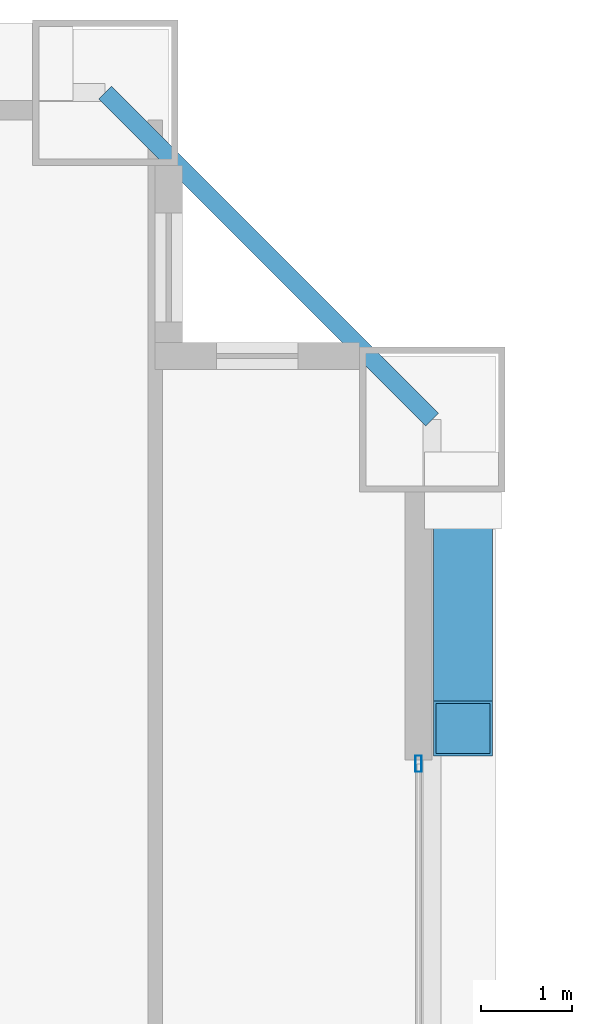
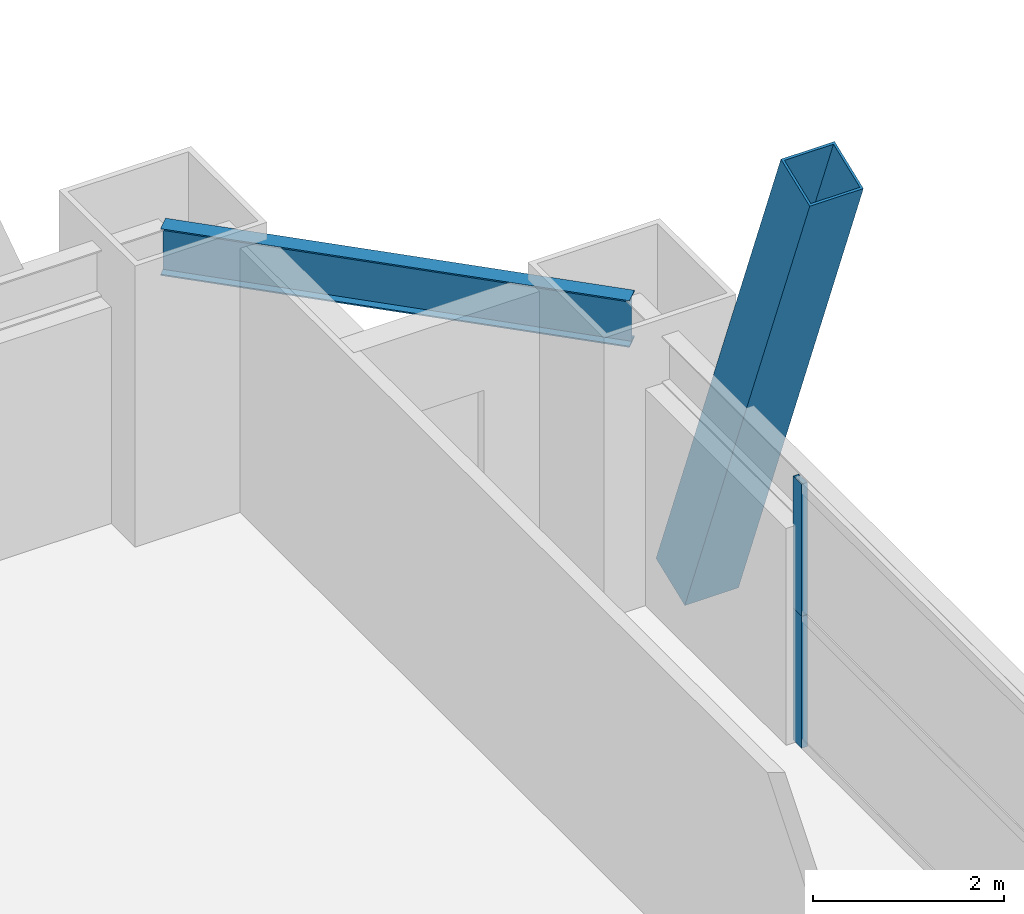
# One storey, part 34 of 43: 3 members, 1 beam, 1 element without a shape of its own.
"""IFC4 building model written with IfcOpenShell, lengths in metres."""

from ifc_helpers import new_model, si_unit, direction, frame, origin, origin_2d, place, context, subcontext, project, spatial, hollow_rectangle, i_section, extrude, source, transform, mapped, material, layer, layer_set, material_profile, profile_set, type_object, element, aggregate, save


model = new_model("IFC4")

# Units and contexts
model_context = context("Model", 3, precision=1e-05, world=origin(), true_north=direction((0.0, 1.0)))
body_context = subcontext(model_context, "Body", "Model", "MODEL_VIEW")
ifc_project = project(units=[si_unit("LENGTHUNIT", "METRE"), si_unit("AREAUNIT", "SQUARE_METRE"), si_unit("VOLUMEUNIT", "CUBIC_METRE"), si_unit("PLANEANGLEUNIT", "RADIAN"), si_unit("MASSUNIT", "GRAM", prefix="KILO"), si_unit("THERMODYNAMICTEMPERATUREUNIT", "KELVIN"), si_unit("POWERUNIT", "WATT")], contexts=[model_context])

# Site, building, storey
site_placement = place(None, origin())
site = spatial("IfcSite", under=ifc_project, at=site_placement, CompositionType="ELEMENT")
building_placement = place(site_placement, origin())
building = spatial("IfcBuilding", under=site, at=building_placement, Name="Yuzanri Waterfront Tower", CompositionType="ELEMENT")
storey_placement = place(building_placement, frame((0.0, 0.0, 101.0)))
storey = spatial("IfcBuildingStorey", under=building, at=storey_placement, Name="L26", CompositionType="ELEMENT", Elevation=101.0)

# Beam
ifc_material_1 = material(Name="Steel Q355B", Category="steel")
ifc_material_profile_1 = material_profile(ifc_material_1, i_section(OverallWidth=0.199951171875, OverallDepth=0.60009765625, WebThickness=0.010986328125, FlangeThickness=0.01708984375, at=origin_2d()), Name="HN 600x200x11x17")
ifc_profile_set_1 = profile_set([ifc_material_profile_1], Name="Steel Q355B")
beam_type = type_object("IfcBeamType", Name="Perimeter Spandrel Q355B HN 600x200", PredefinedType="SPANDREL", material=ifc_profile_set_1)
shared_shape_1 = source(origin(), body_context, "Body", "SweptSolid", [
    extrude(i_section(OverallWidth=0.199951171875, OverallDepth=0.60009765625, WebThickness=0.010986328125, FlangeThickness=0.01708984375, at=origin_2d()), origin(), (0.0, 0.0, 1.0), 5.091064453125),
])
beam_placement = place(storey_placement, frame((60.60009765625, 45.800048828125, 3.080078125), z_axis=(-0.707130757816, 0.707082803744, 0.0), x_axis=(-0.707082803744, -0.707130757816, 0.0)))
element("IfcBeam", 1, at=beam_placement, inside=storey, type_object=beam_type, Name="L26 Perimeter Spandrel E3-N3", PredefinedType="SPANDREL", context=body_context, shape_type="MappedRepresentation", body=[
    mapped(shared_shape_1, transform((0.0, 0.0, 0.0), scale=1.0)),
])

# Member
ifc_material_2 = material(Name="Steel Q420GJC", Category="steel")
ifc_material_profile_2 = material_profile(ifc_material_2, hollow_rectangle(XDim=0.64990234375, YDim=0.64990234375, WallThickness=0.028076171875, at=origin_2d()), Name="RHS 650x650x28")
ifc_profile_set_2 = profile_set([ifc_material_profile_2], Name="Steel Q420GJC")
member_type_1 = type_object("IfcMemberType", Name="Mega Brace Lower Q420GJC RHS 650x650x28", PredefinedType="BRACE", material=ifc_profile_set_2)
shared_shape_2 = source(origin(), body_context, "Body", "SweptSolid", [
    extrude(hollow_rectangle(XDim=0.64990234375, YDim=0.64990234375, WallThickness=0.028076171875, at=origin_2d()), origin(), (0.0, 0.0, 1.0), 7.194091796875),
])
member_1_placement = place(storey_placement, frame((60.93994140625, 45.02001953125, 0.179931640625), z_axis=(0.0, -0.36420612543, 0.931318365651), x_axis=(1.0, 0.0, 0.0)))
element("IfcMember", 2, at=member_1_placement, inside=storey, type_object=member_type_1, Name="L26-L27 Perimeter Mega-Brace E-R", PredefinedType="BRACE", context=body_context, shape_type="MappedRepresentation", body=[
    mapped(shared_shape_2, transform((0.0, 0.0, 0.0), scale=1.0)),
])

# Curtain wall, members
ifc_material_3 = material(Name="Anodized Architectural Bronze", Category="metal")
ifc_layer = layer(ifc_material_3, 0.159912109375)
ifc_layer_set = layer_set([ifc_layer], Name="Anodized Architectural Bronze")
curtain_wall_type = type_object("IfcCurtainWallType", Name="Anodized Bronze Hotel Upper-Tier Solar-Control Unitized Curtain Wall 7800", PredefinedType="NOTDEFINED", material=ifc_layer_set)
curtain_wall_placement = place(storey_placement, origin())
curtain_wall = element("IfcCurtainWall", 3, at=curtain_wall_placement, inside=storey, type_object=curtain_wall_type, Name="L26 Curtain Wall CW-L26-ER", PredefinedType="NOTDEFINED")
ifc_material_4 = material(Name="Anodized Architectural Bronze", Category="metal")
ifc_material_profile_3 = material_profile(ifc_material_4, hollow_rectangle(XDim=0.070068359375, YDim=0.179931640625, WallThickness=0.00390625, at=origin_2d()), Name="CWM 70x180")
ifc_profile_set_3 = profile_set([ifc_material_profile_3], Name="Anodized Architectural Bronze")
member_type_2 = type_object("IfcMemberType", Name="Anodized Bronze Standard Curtain-Wall Mullion 70x180", PredefinedType="MULLION", material=ifc_profile_set_3)
shared_shape_3 = source(origin(), body_context, "Body", "SweptSolid", [
    extrude(hollow_rectangle(XDim=0.070068359375, YDim=0.179931640625, WallThickness=0.00390625, at=origin_2d()), origin(), (0.0, 0.0, 1.0), 1.68798828125),
])
member_2_placement = place(storey_placement, frame((60.449951171875, 42.010009765625, 0.0), z_axis=(0.0, 0.0, 1.0), x_axis=(1.0, 0.0, 0.0)))
member_2 = element("IfcMember", 4, at=member_2_placement, type_object=member_type_2, Name="CW-L26-ER Lower Mullion 02", PredefinedType="MULLION", context=body_context, shape_type="MappedRepresentation", body=[
    mapped(shared_shape_3, transform((0.0, 0.0, 0.0), scale=1.0)),
])
member_3_placement = place(storey_placement, frame((60.449951171875, 42.010009765625, 1.69189453125), z_axis=(0.0, 0.0, 1.0), x_axis=(1.0, 0.0, 0.0)))
member_3 = element("IfcMember", 5, at=member_3_placement, type_object=member_type_2, Name="CW-L26-ER Upper Mullion 02", PredefinedType="MULLION", context=body_context, shape_type="MappedRepresentation", body=[
    mapped(shared_shape_3, transform((0.0, 0.0, 0.0), scale=1.0)),
])
aggregate(curtain_wall, [member_2, member_3])

save(model, "model.ifc")
